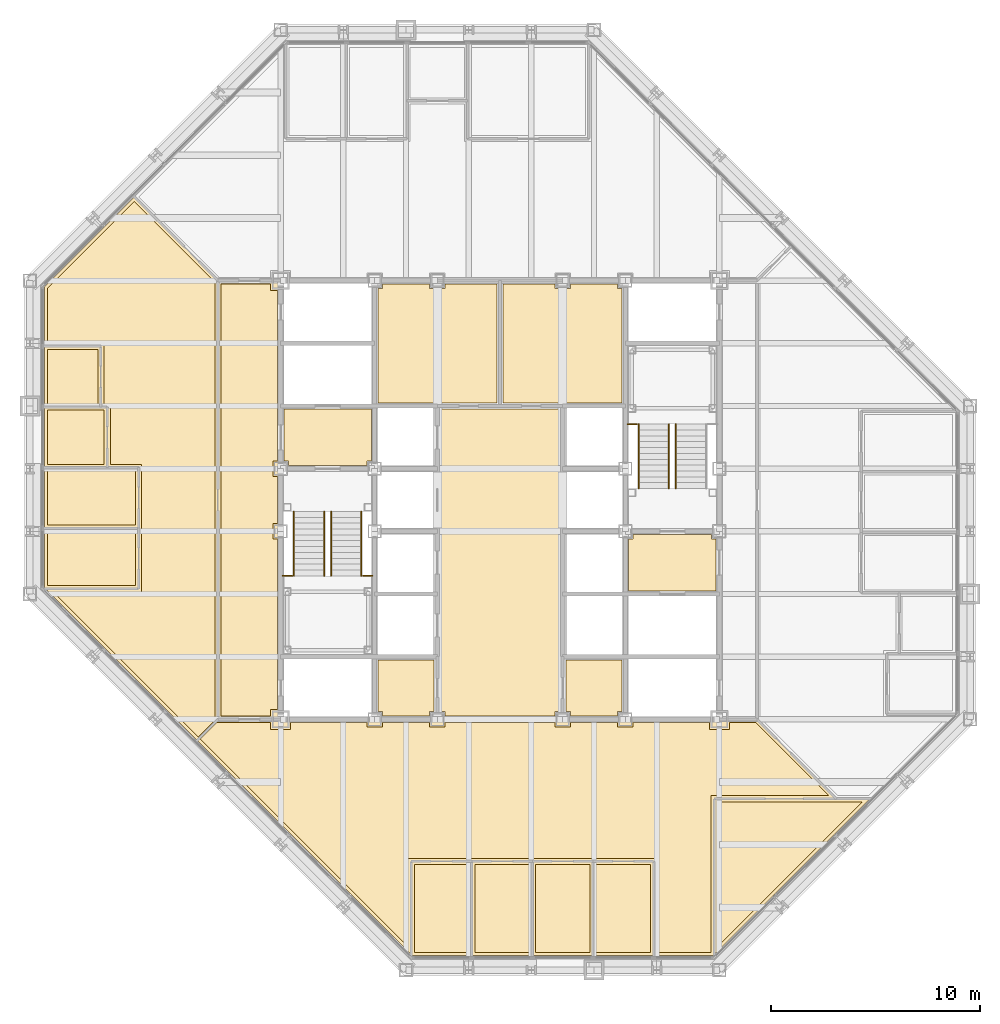
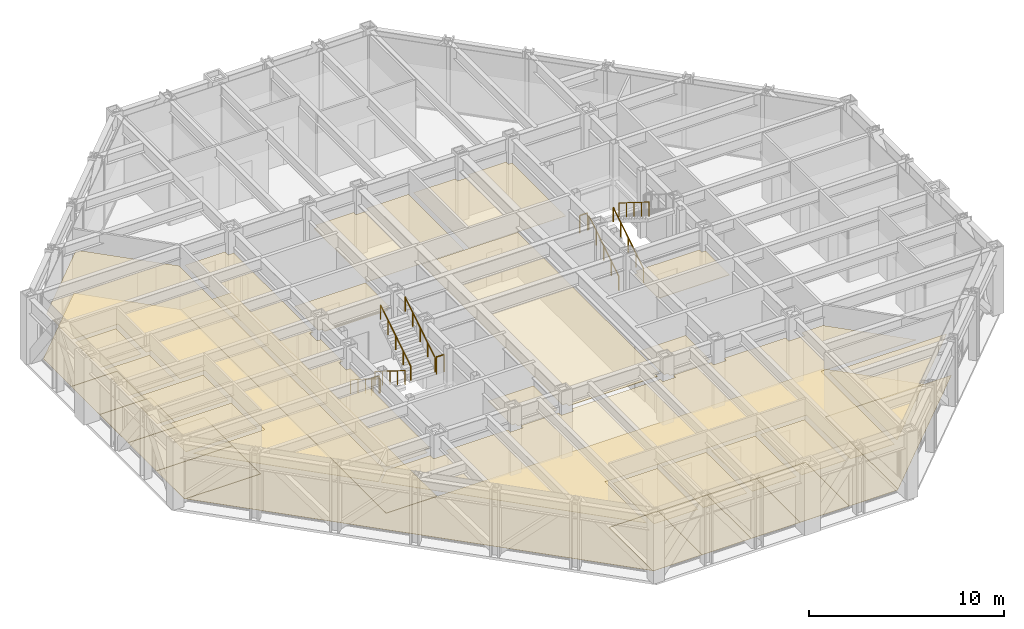
# One storey, part 14 of 15: 30 coverings, 10 railings.
"""IFC4 building model written with IfcOpenShell, lengths in metres."""

from ifc_helpers import new_model, si_unit, direction, frame, origin, origin_2d, place, context, subcontext, project, spatial, polyline, circle, outline, extrude, material, layer, layer_set, type_object, element, save


model = new_model("IFC4")

# Units and contexts
model_context = context("Model", 3, precision=1e-05, world=origin(), true_north=direction((0.0, 1.0)))
body_context = subcontext(model_context, "Body", "Model", "MODEL_VIEW")
ifc_project = project(units=[si_unit("LENGTHUNIT", "METRE"), si_unit("AREAUNIT", "SQUARE_METRE"), si_unit("VOLUMEUNIT", "CUBIC_METRE"), si_unit("PLANEANGLEUNIT", "RADIAN"), si_unit("MASSUNIT", "GRAM", prefix="KILO")], contexts=[model_context])

# Site, building, storey
site_placement = place(None, origin())
site = spatial("IfcSite", under=ifc_project, at=site_placement, CompositionType="ELEMENT")
building_placement = place(site_placement, origin())
building = spatial("IfcBuilding", under=site, at=building_placement, Name="Chuquiago Exchange Tower", CompositionType="ELEMENT")
storey_placement = place(building_placement, frame((0.0, 0.0, 184.5)))
storey = spatial("IfcBuildingStorey", under=building, at=storey_placement, Name="L40", CompositionType="ELEMENT", Elevation=184.5)

# Coverings
ifc_material_1 = material(Name="Mineral fibre tile, 600 x 600, on pale metal grid", Category="mineral fibre")
ifc_layer_1 = layer(ifc_material_1, 0.02001953125)
ifc_layer_set_1 = layer_set([ifc_layer_1], Name="CL1 suspended tile ceiling 20")
covering_type_1 = type_object("IfcCoveringType", Name="CL1 suspended tile ceiling 20", PredefinedType="CEILING", material=ifc_layer_set_1)
covering_1_placement = place(storey_placement, frame((0.0, 0.0, 2.800048828125)))
element("IfcCovering", 1, at=covering_1_placement, inside=storey, type_object=covering_type_1, Name="Ceiling Office", PredefinedType="CEILING", context=body_context, shape_type="SweptSolid", body=[
    extrude(outline(polyline([(18.3984375, 5.050048828125), (20.9990234375, 5.050048828125), (20.9990234375, 0.85009765625), (18.3984375, 0.85009765625), (18.3984375, 5.050048828125)])), origin(), (0.0, 0.0, 1.0), 0.02001953125),
])
covering_2_placement = place(storey_placement, frame((0.0, 0.0, 2.800048828125)))
element("IfcCovering", 2, at=covering_2_placement, inside=storey, type_object=covering_type_1, Name="Ceiling Office", PredefinedType="CEILING", context=body_context, shape_type="SweptSolid", body=[
    extrude(outline(polyline([(21.299072265625, 5.050048828125), (23.899658203125, 5.050048828125), (23.899658203125, 0.85009765625), (21.299072265625, 0.85009765625), (21.299072265625, 5.050048828125)])), origin(), (0.0, 0.0, 1.0), 0.02001953125),
])
covering_3_placement = place(storey_placement, frame((0.0, 0.0, 2.800048828125)))
element("IfcCovering", 3, at=covering_3_placement, inside=storey, type_object=covering_type_1, Name="Ceiling Office", PredefinedType="CEILING", context=body_context, shape_type="SweptSolid", body=[
    extrude(outline(polyline([(24.19970703125, 5.050048828125), (26.80029296875, 5.050048828125), (26.80029296875, 0.85009765625), (24.19970703125, 0.85009765625), (24.19970703125, 5.050048828125)])), origin(), (0.0, 0.0, 1.0), 0.02001953125),
])
covering_4_placement = place(storey_placement, frame((0.0, 0.0, 2.800048828125)))
element("IfcCovering", 4, at=covering_4_placement, inside=storey, type_object=covering_type_1, Name="Ceiling Office", PredefinedType="CEILING", context=body_context, shape_type="SweptSolid", body=[
    extrude(outline(polyline([(27.100341796875, 5.050048828125), (29.700927734375, 5.050048828125), (29.700927734375, 0.85009765625), (27.100341796875, 0.85009765625), (27.100341796875, 5.050048828125)])), origin(), (0.0, 0.0, 1.0), 0.02001953125),
])
covering_5_placement = place(storey_placement, frame((0.0, 0.0, 2.800048828125)))
element("IfcCovering", 5, at=covering_5_placement, inside=storey, type_object=covering_type_1, Name="Ceiling Boardroom", PredefinedType="CEILING", context=body_context, shape_type="SweptSolid", body=[
    extrude(outline(polyline([(32.901611328125, 8.050048828125), (39.847900390625, 8.050048828125), (32.901611328125, 1.103515625), (32.901611328125, 8.050048828125)])), origin(), (0.0, 0.0, 1.0), 0.02001953125),
])
covering_6_placement = place(storey_placement, frame((0.0, 0.0, 2.800048828125)))
element("IfcCovering", 6, at=covering_6_placement, inside=storey, type_object=covering_type_1, Name="Ceiling Office", PredefinedType="CEILING", context=body_context, shape_type="SweptSolid", body=[
    extrude(outline(polyline([(0.85009765625, 20.9990234375), (5.050048828125, 20.9990234375), (5.050048828125, 18.3984375), (0.85009765625, 18.3984375), (0.85009765625, 20.9990234375)])), origin(), (0.0, 0.0, 1.0), 0.02001953125),
])
covering_7_placement = place(storey_placement, frame((0.0, 0.0, 2.800048828125)))
element("IfcCovering", 7, at=covering_7_placement, inside=storey, type_object=covering_type_1, Name="Ceiling Office", PredefinedType="CEILING", context=body_context, shape_type="SweptSolid", body=[
    extrude(outline(polyline([(5.050048828125, 23.899658203125), (5.050048828125, 21.299072265625), (0.85009765625, 21.299072265625), (0.85009765625, 23.899658203125), (5.050048828125, 23.899658203125)])), origin(), (0.0, 0.0, 1.0), 0.02001953125),
])
covering_8_placement = place(storey_placement, frame((0.0, 0.0, 2.800048828125)))
element("IfcCovering", 8, at=covering_8_placement, inside=storey, type_object=covering_type_1, Name="Ceiling Store", PredefinedType="CEILING", context=body_context, shape_type="SweptSolid", body=[
    extrude(outline(polyline([(3.550048828125, 26.80029296875), (3.550048828125, 24.19970703125), (0.85009765625, 24.19970703125), (0.85009765625, 26.80029296875), (3.550048828125, 26.80029296875)])), origin(), (0.0, 0.0, 1.0), 0.02001953125),
])
covering_9_placement = place(storey_placement, frame((0.0, 0.0, 2.800048828125)))
element("IfcCovering", 9, at=covering_9_placement, inside=storey, type_object=covering_type_1, Name="Ceiling Focus room", PredefinedType="CEILING", context=body_context, shape_type="SweptSolid", body=[
    extrude(outline(polyline([(3.25, 29.700927734375), (3.25, 27.100341796875), (0.85009765625, 27.100341796875), (0.85009765625, 29.700927734375), (3.25, 29.700927734375)])), origin(), (0.0, 0.0, 1.0), 0.02001953125),
])
covering_10_placement = place(storey_placement, frame((0.0, 0.0, 2.800048828125)))
element("IfcCovering", 10, at=covering_10_placement, inside=storey, type_object=covering_type_1, Name="Ceiling Circulation corridor", PredefinedType="CEILING", context=body_context, shape_type="SweptSolid", body=[
    extrude(outline(polyline([(9.14990234375, 12.14990234375), (9.14990234375, 32.85009765625), (11.52490234375, 32.85009765625), (11.52490234375, 32.52490234375), (11.85009765625, 32.52490234375), (11.85009765625, 24.375), (11.625, 24.375), (11.625, 23.625), (11.85009765625, 23.625), (11.85009765625, 21.375), (11.625, 21.375), (11.625, 20.625), (11.85009765625, 20.625), (11.85009765625, 12.47509765625), (11.52490234375, 12.47509765625), (11.52490234375, 12.14990234375), (9.14990234375, 12.14990234375)])), origin(), (0.0, 0.0, 1.0), 0.02001953125),
])
covering_11_placement = place(storey_placement, frame((0.0, 0.0, 2.800048828125)))
element("IfcCovering", 11, at=covering_11_placement, inside=storey, type_object=covering_type_1, Name="Ceiling Open office south", PredefinedType="CEILING", context=body_context, shape_type="SweptSolid", body=[
    extrude(outline(polyline([(30.0009765625, 0.85009765625), (30.0009765625, 5.35009765625), (18.098388671875, 5.35009765625), (18.098388671875, 1.103515625), (8.150390625, 11.051513671875), (8.948974609375, 11.85009765625), (11.52490234375, 11.85009765625), (11.52490234375, 11.52490234375), (12.47509765625, 11.52490234375), (12.47509765625, 11.85009765625), (16.125, 11.85009765625), (16.125, 11.625), (16.875, 11.625), (16.875, 11.85009765625), (19.125, 11.85009765625), (19.125, 11.625), (19.875, 11.625), (19.875, 11.85009765625), (25.125, 11.85009765625), (25.125, 11.625), (25.875, 11.625), (25.875, 11.85009765625), (28.125, 11.85009765625), (28.125, 11.625), (28.875, 11.625), (28.875, 11.85009765625), (32.52490234375, 11.85009765625), (32.52490234375, 11.52490234375), (33.47509765625, 11.52490234375), (33.47509765625, 11.85009765625), (34.7373046875, 11.85009765625), (38.2373046875, 8.35009765625), (32.6015625, 8.35009765625), (32.6015625, 0.85009765625), (30.0009765625, 0.85009765625)])), origin(), (0.0, 0.0, 1.0), 0.02001953125),
])
covering_12_placement = place(storey_placement, frame((0.0, 0.0, 2.800048828125)))
element("IfcCovering", 12, at=covering_12_placement, inside=storey, type_object=covering_type_1, Name="Ceiling Open office south", PredefinedType="CEILING", context=body_context, shape_type="SweptSolid", body=[
    extrude(outline(polyline([(1.103515625, 18.098388671875), (5.35009765625, 18.098388671875), (5.35009765625, 24.19970703125), (3.85009765625, 24.19970703125), (3.85009765625, 27.100341796875), (3.550048828125, 27.100341796875), (3.550048828125, 30.0009765625), (0.85009765625, 30.0009765625), (0.85009765625, 32.64794921875), (4.99462890625, 36.79248046875), (8.85009765625, 32.9375), (8.85009765625, 11.948974609375), (8.051513671875, 11.150390625), (1.103515625, 18.098388671875)])), origin(), (0.0, 0.0, 1.0), 0.02001953125),
])
ifc_material_2 = material(Name="Moisture resistant plasterboard on metal frame", Category="gypsum")
ifc_layer_2 = layer(ifc_material_2, 0.014892578125)
ifc_layer_set_2 = layer_set([ifc_layer_2], Name="CL2 moisture resistant ceiling 15")
covering_type_2 = type_object("IfcCoveringType", Name="CL2 moisture resistant ceiling 15", PredefinedType="CEILING", material=ifc_layer_set_2)
covering_13_placement = place(storey_placement, frame((0.0, 0.0, 2.60009765625)))
element("IfcCovering", 13, at=covering_13_placement, inside=storey, type_object=covering_type_2, Name="Ceiling Male WC", PredefinedType="CEILING", context=body_context, shape_type="SweptSolid", body=[
    extrude(outline(polyline([(16.64990234375, 27.14990234375), (16.64990234375, 32.625), (16.875, 32.625), (16.875, 32.85009765625), (19.125, 32.85009765625), (19.125, 32.625), (19.875, 32.625), (19.875, 32.85009765625), (22.35009765625, 32.85009765625), (22.35009765625, 27.14990234375), (16.64990234375, 27.14990234375)])), origin(), (0.0, 0.0, 1.0), 0.014892578125),
])
covering_14_placement = place(storey_placement, frame((0.0, 0.0, 2.60009765625)))
element("IfcCovering", 14, at=covering_14_placement, inside=storey, type_object=covering_type_2, Name="Ceiling Female WC", PredefinedType="CEILING", context=body_context, shape_type="SweptSolid", body=[
    extrude(outline(polyline([(22.64990234375, 27.14990234375), (22.64990234375, 32.85009765625), (25.125, 32.85009765625), (25.125, 32.625), (25.875, 32.625), (25.875, 32.85009765625), (28.125, 32.85009765625), (28.125, 32.625), (28.35009765625, 32.625), (28.35009765625, 27.14990234375), (22.64990234375, 27.14990234375)])), origin(), (0.0, 0.0, 1.0), 0.014892578125),
])
covering_15_placement = place(storey_placement, frame((0.0, 0.0, 2.60009765625)))
element("IfcCovering", 15, at=covering_15_placement, inside=storey, type_object=covering_type_2, Name="Ceiling Accessible WC", PredefinedType="CEILING", context=body_context, shape_type="SweptSolid", body=[
    extrude(outline(polyline([(25.875, 12.14990234375), (25.875, 12.375), (25.64990234375, 12.375), (25.64990234375, 14.85009765625), (28.35009765625, 14.85009765625), (28.35009765625, 12.375), (28.125, 12.375), (28.125, 12.14990234375), (25.875, 12.14990234375)])), origin(), (0.0, 0.0, 1.0), 0.014892578125),
])
covering_16_placement = place(storey_placement, frame((0.0, 0.0, 2.60009765625)))
element("IfcCovering", 16, at=covering_16_placement, inside=storey, type_object=covering_type_2, Name="Ceiling Cleaner", PredefinedType="CEILING", context=body_context, shape_type="SweptSolid", body=[
    extrude(outline(polyline([(16.875, 12.14990234375), (16.875, 12.375), (16.64990234375, 12.375), (16.64990234375, 14.85009765625), (19.35009765625, 14.85009765625), (19.35009765625, 12.375), (19.125, 12.375), (19.125, 12.14990234375), (16.875, 12.14990234375)])), origin(), (0.0, 0.0, 1.0), 0.014892578125),
])
ifc_material_3 = material(Name="Pale metal plank ceiling, perforated", Category="aluminium")
ifc_layer_3 = layer(ifc_material_3, 0.030029296875)
ifc_layer_set_3 = layer_set([ifc_layer_3], Name="CL3 metal plank ceiling 30")
covering_type_3 = type_object("IfcCoveringType", Name="CL3 metal plank ceiling 30", PredefinedType="CEILING", material=ifc_layer_set_3)
covering_17_placement = place(storey_placement, frame((0.0, 0.0, 2.800048828125)))
element("IfcCovering", 17, at=covering_17_placement, inside=storey, type_object=covering_type_3, Name="Ceiling Lift lobby", PredefinedType="CEILING", context=body_context, shape_type="SweptSolid", body=[
    extrude(outline(polyline([(19.875, 12.14990234375), (19.875, 12.375), (19.64990234375, 12.375), (19.64990234375, 26.85009765625), (25.35009765625, 26.85009765625), (25.35009765625, 12.375), (25.125, 12.375), (25.125, 12.14990234375), (19.875, 12.14990234375)])), origin(), (0.0, 0.0, 1.0), 0.030029296875),
])
covering_18_placement = place(storey_placement, frame((0.0, 0.0, 2.800048828125)))
element("IfcCovering", 18, at=covering_18_placement, inside=storey, type_object=covering_type_3, Name="Ceiling Firefighting lobby", PredefinedType="CEILING", context=body_context, shape_type="SweptSolid", body=[
    extrude(outline(polyline([(12.375, 24.14990234375), (12.375, 24.375), (12.14990234375, 24.375), (12.14990234375, 26.85009765625), (16.35009765625, 26.85009765625), (16.35009765625, 24.375), (16.125, 24.375), (16.125, 24.14990234375), (12.375, 24.14990234375)])), origin(), (0.0, 0.0, 1.0), 0.030029296875),
])
covering_19_placement = place(storey_placement, frame((0.0, 0.0, 2.800048828125)))
element("IfcCovering", 19, at=covering_19_placement, inside=storey, type_object=covering_type_3, Name="Ceiling Firefighting lobby", PredefinedType="CEILING", context=body_context, shape_type="SweptSolid", body=[
    extrude(outline(polyline([(28.64990234375, 18.14990234375), (28.64990234375, 20.625), (28.875, 20.625), (28.875, 20.85009765625), (32.625, 20.85009765625), (32.625, 20.625), (32.85009765625, 20.625), (32.85009765625, 18.14990234375), (28.64990234375, 18.14990234375)])), origin(), (0.0, 0.0, 1.0), 0.030029296875),
])
ifc_material_4 = material(Name="Carpet tile, 500 x 500, on the floor slab", Category="textile")
ifc_layer_4 = layer(ifc_material_4, 0.010009765625)
ifc_layer_set_4 = layer_set([ifc_layer_4], Name="FL1 carpet tile 10")
covering_type_4 = type_object("IfcCoveringType", Name="FL1 carpet tile 10", PredefinedType="FLOORING", material=ifc_layer_set_4)
covering_20_placement = place(storey_placement, origin())
element("IfcCovering", 20, at=covering_20_placement, inside=storey, type_object=covering_type_4, Name="Floor finish Office", PredefinedType="FLOORING", context=body_context, shape_type="SweptSolid", body=[
    extrude(outline(polyline([(18.289794921875, 0.699951171875), (18.24853515625, 0.741455078125), (18.24853515625, 5.199951171875), (21.149169921875, 5.199951171875), (21.149169921875, 0.699951171875), (18.289794921875, 0.699951171875)])), origin(), (0.0, 0.0, 1.0), 0.010009765625),
])
covering_21_placement = place(storey_placement, origin())
element("IfcCovering", 21, at=covering_21_placement, inside=storey, type_object=covering_type_4, Name="Floor finish Office", PredefinedType="FLOORING", context=body_context, shape_type="SweptSolid", body=[
    extrude(outline(polyline([(21.149169921875, 0.699951171875), (21.149169921875, 5.199951171875), (24.0498046875, 5.199951171875), (24.0498046875, 0.699951171875), (21.149169921875, 0.699951171875)])), origin(), (0.0, 0.0, 1.0), 0.010009765625),
])
covering_22_placement = place(storey_placement, origin())
element("IfcCovering", 22, at=covering_22_placement, inside=storey, type_object=covering_type_4, Name="Floor finish Office", PredefinedType="FLOORING", context=body_context, shape_type="SweptSolid", body=[
    extrude(outline(polyline([(24.0498046875, 0.699951171875), (24.0498046875, 5.199951171875), (26.9501953125, 5.199951171875), (26.9501953125, 0.699951171875), (24.0498046875, 0.699951171875)])), origin(), (0.0, 0.0, 1.0), 0.010009765625),
])
covering_23_placement = place(storey_placement, origin())
element("IfcCovering", 23, at=covering_23_placement, inside=storey, type_object=covering_type_4, Name="Floor finish Office", PredefinedType="FLOORING", context=body_context, shape_type="SweptSolid", body=[
    extrude(outline(polyline([(26.9501953125, 0.699951171875), (26.9501953125, 5.199951171875), (29.850830078125, 5.199951171875), (29.850830078125, 0.699951171875), (26.9501953125, 0.699951171875)])), origin(), (0.0, 0.0, 1.0), 0.010009765625),
])
covering_24_placement = place(storey_placement, origin())
element("IfcCovering", 24, at=covering_24_placement, inside=storey, type_object=covering_type_4, Name="Floor finish Boardroom", PredefinedType="FLOORING", context=body_context, shape_type="SweptSolid", body=[
    extrude(outline(polyline([(32.75146484375, 0.741455078125), (32.75146484375, 8.199951171875), (40.210205078125, 8.199951171875), (32.75146484375, 0.741455078125)])), origin(), (0.0, 0.0, 1.0), 0.010009765625),
])
covering_25_placement = place(storey_placement, origin())
element("IfcCovering", 25, at=covering_25_placement, inside=storey, type_object=covering_type_4, Name="Floor finish Office", PredefinedType="FLOORING", context=body_context, shape_type="SweptSolid", body=[
    extrude(outline(polyline([(0.699951171875, 21.149169921875), (5.199951171875, 21.149169921875), (5.199951171875, 18.24853515625), (0.741455078125, 18.24853515625), (0.699951171875, 18.289794921875), (0.699951171875, 21.149169921875)])), origin(), (0.0, 0.0, 1.0), 0.010009765625),
])
covering_26_placement = place(storey_placement, origin())
element("IfcCovering", 26, at=covering_26_placement, inside=storey, type_object=covering_type_4, Name="Floor finish Office", PredefinedType="FLOORING", context=body_context, shape_type="SweptSolid", body=[
    extrude(outline(polyline([(0.699951171875, 24.0498046875), (5.199951171875, 24.0498046875), (5.199951171875, 21.149169921875), (0.699951171875, 21.149169921875), (0.699951171875, 24.0498046875)])), origin(), (0.0, 0.0, 1.0), 0.010009765625),
])
covering_27_placement = place(storey_placement, origin())
element("IfcCovering", 27, at=covering_27_placement, inside=storey, type_object=covering_type_4, Name="Floor finish Focus room", PredefinedType="FLOORING", context=body_context, shape_type="SweptSolid", body=[
    extrude(outline(polyline([(0.699951171875, 29.850830078125), (3.39990234375, 29.850830078125), (3.39990234375, 26.9501953125), (0.699951171875, 26.9501953125), (0.699951171875, 29.850830078125)])), origin(), (0.0, 0.0, 1.0), 0.010009765625),
])
covering_28_placement = place(storey_placement, origin())
element("IfcCovering", 28, at=covering_28_placement, inside=storey, type_object=covering_type_4, Name="Floor finish Open office south", PredefinedType="FLOORING", context=body_context, shape_type="SweptSolid", body=[
    extrude(outline(polyline([(32.75146484375, 8.199951171875), (32.75146484375, 0.741455078125), (32.710205078125, 0.699951171875), (29.850830078125, 0.699951171875), (29.850830078125, 5.199951171875), (18.24853515625, 5.199951171875), (18.24853515625, 0.741455078125), (0.741455078125, 18.24853515625), (5.199951171875, 18.24853515625), (5.199951171875, 24.0498046875), (3.699951171875, 24.0498046875), (3.699951171875, 26.9501953125), (3.39990234375, 26.9501953125), (3.39990234375, 29.850830078125), (0.699951171875, 29.850830078125), (0.699951171875, 32.710205078125), (4.99462890625, 37.004638671875), (9.0, 32.99951171875), (9.0, 12.0), (34.799560546875, 12.0), (38.599365234375, 8.199951171875), (32.75146484375, 8.199951171875)])), origin(), (0.0, 0.0, 1.0), 0.010009765625),
])
ifc_material_5 = material(Name="Porcelain floor tile, 600 x 600, on adhesive bed", Category="ceramic")
ifc_layer_5 = layer(ifc_material_5, 0.014892578125)
ifc_layer_set_5 = layer_set([ifc_layer_5], Name="FL2 porcelain tile 15")
covering_type_5 = type_object("IfcCoveringType", Name="FL2 porcelain tile 15", PredefinedType="FLOORING", material=ifc_layer_set_5)
covering_29_placement = place(storey_placement, origin())
element("IfcCovering", 29, at=covering_29_placement, inside=storey, type_object=covering_type_5, Name="Floor finish Store", PredefinedType="FLOORING", context=body_context, shape_type="SweptSolid", body=[
    extrude(outline(polyline([(0.699951171875, 26.9501953125), (3.699951171875, 26.9501953125), (3.699951171875, 24.0498046875), (0.699951171875, 24.0498046875), (0.699951171875, 26.9501953125)])), origin(), (0.0, 0.0, 1.0), 0.014892578125),
])
covering_30_placement = place(storey_placement, origin())
element("IfcCovering", 30, at=covering_30_placement, inside=storey, type_object=covering_type_5, Name="Floor finish Circulation corridor", PredefinedType="FLOORING", context=body_context, shape_type="SweptSolid", body=[
    extrude(outline(polyline([(12.0, 12.0), (9.0, 12.0), (9.0, 33.0), (12.0, 33.0), (12.0, 12.0)])), origin(), (0.0, 0.0, 1.0), 0.014892578125),
])

# Railings
ifc_material_6 = material(Name="Pale metal guard with safety glass infill", Category="glass")
railing_type_1 = type_object("IfcRailingType", Name="GR1 guard 1100", PredefinedType="GUARDRAIL", material=ifc_material_6)
for number, where, name in (
    (31, (12.10009765625, 18.8701171875, 2.10009765625), "Guard ST1 L40 landing 2"),
    (32, (15.945068359375, 18.8701171875, 2.10009765625), "Guard ST1 L40 landing 2"),
    (33, (28.60009765625, 26.1298828125, 2.10009765625), "Guard ST2 L40 landing 2"),
):
    element("IfcRailing", number, at=place(storey_placement, frame(where)), inside=storey, type_object=railing_type_1, Name=name, PredefinedType="GUARDRAIL", context=body_context, shape_type="SweptSolid", body=[
        extrude(circle(Radius=0.02392578125, at=origin_2d()), frame((0.0, 0.0, 1.076171875), z_axis=(1.0, 0.0, 0.0), x_axis=(0.0, 1.0, 0.0)), (0.0, 0.0, 1.0), 0.454833984375),
        extrude(circle(Radius=0.02099609375, at=origin_2d()), origin(), (0.0, 0.0, 1.0), 1.052001953125),
        extrude(circle(Radius=0.02099609375, at=origin_2d()), frame((0.454833984375, 0.0, 0.0)), (0.0, 0.0, 1.0), 1.052001953125),
    ])
ifc_material_7 = material(Name="Pale metal handrail", Category="steel")
railing_type_2 = type_object("IfcRailingType", Name="HR1 handrail 900", PredefinedType="HANDRAIL", material=ifc_material_7)
for number, where, name in (
    (34, (12.635009765625, 21.949951171875, 0.175048828125), "Handrail ST1 L40 flight 1"),
    (35, (14.0849609375, 21.949951171875, 0.175048828125), "Handrail ST1 L40 flight 1"),
):
    element("IfcRailing", number, at=place(storey_placement, frame(where)), inside=storey, type_object=railing_type_2, Name=name, PredefinedType="HANDRAIL", context=body_context, shape_type="SweptSolid", body=[
        extrude(circle(Radius=0.02392578125, at=origin_2d()), frame((0.0, 0.0, 0.8759765625), z_axis=(0.0, -0.847979421464, 0.530029150871), x_axis=(1.0, 0.0, 0.0)), (0.0, 0.0, 1.0), 3.632080078125),
        extrude(circle(Radius=0.02099609375, at=origin_2d()), origin(), (0.0, 0.0, 1.0), 0.851806640625),
        extrude(circle(Radius=0.02099609375, at=origin_2d()), frame((0.0, -0.77001953125, 0.481201171875)), (0.0, 0.0, 1.0), 0.851806640625),
        extrude(circle(Radius=0.02099609375, at=origin_2d()), frame((0.0, -1.5400390625, 0.96240234375)), (0.0, 0.0, 1.0), 0.851806640625),
        extrude(circle(Radius=0.02099609375, at=origin_2d()), frame((0.0, -2.309814453125, 1.44384765625)), (0.0, 0.0, 1.0), 0.851806640625),
        extrude(circle(Radius=0.02099609375, at=origin_2d()), frame((0.0, -3.079833984375, 1.925048828125)), (0.0, 0.0, 1.0), 0.851806640625),
    ])
for number, where, name in (
    (36, (15.864990234375, 18.8701171875, 2.27490234375), "Handrail ST1 L40 flight 2"),
    (37, (14.4150390625, 18.8701171875, 2.27490234375), "Handrail ST1 L40 flight 2"),
    (38, (30.5849609375, 23.050048828125, 0.175048828125), "Handrail ST2 L40 flight 1"),
    (39, (29.135009765625, 23.050048828125, 0.175048828125), "Handrail ST2 L40 flight 1"),
):
    element("IfcRailing", number, at=place(storey_placement, frame(where)), inside=storey, type_object=railing_type_2, Name=name, PredefinedType="HANDRAIL", context=body_context, shape_type="SweptSolid", body=[
        extrude(circle(Radius=0.02392578125, at=origin_2d()), frame((0.0, 0.0, 0.8759765625), z_axis=(0.0, 0.847979421464, 0.530029150871), x_axis=(-1.0, 0.0, 0.0)), (0.0, 0.0, 1.0), 3.632080078125),
        extrude(circle(Radius=0.02099609375, at=origin_2d()), origin(), (0.0, 0.0, 1.0), 0.851806640625),
        extrude(circle(Radius=0.02099609375, at=origin_2d()), frame((0.0, 0.77001953125, 0.481201171875)), (0.0, 0.0, 1.0), 0.851806640625),
        extrude(circle(Radius=0.02099609375, at=origin_2d()), frame((0.0, 1.5400390625, 0.96240234375)), (0.0, 0.0, 1.0), 0.851806640625),
        extrude(circle(Radius=0.02099609375, at=origin_2d()), frame((0.0, 2.309814453125, 1.44384765625)), (0.0, 0.0, 1.0), 0.851806640625),
        extrude(circle(Radius=0.02099609375, at=origin_2d()), frame((0.0, 3.079833984375, 1.925048828125)), (0.0, 0.0, 1.0), 0.851806640625),
    ])
railing_placement = place(storey_placement, frame((30.9150390625, 26.1298828125, 2.27490234375)))
element("IfcRailing", 40, at=railing_placement, inside=storey, type_object=railing_type_2, Name="Handrail ST2 L40 flight 2", PredefinedType="HANDRAIL", context=body_context, shape_type="SweptSolid", body=[
    extrude(circle(Radius=0.02392578125, at=origin_2d()), frame((0.0, 0.0, 0.8759765625), z_axis=(0.0, -0.847979421464, 0.530029150871), x_axis=(1.0, 0.0, 0.0)), (0.0, 0.0, 1.0), 3.632080078125),
    extrude(circle(Radius=0.02099609375, at=origin_2d()), origin(), (0.0, 0.0, 1.0), 0.851806640625),
    extrude(circle(Radius=0.02099609375, at=origin_2d()), frame((0.0, -0.77001953125, 0.481201171875)), (0.0, 0.0, 1.0), 0.851806640625),
    extrude(circle(Radius=0.02099609375, at=origin_2d()), frame((0.0, -1.5400390625, 0.96240234375)), (0.0, 0.0, 1.0), 0.851806640625),
    extrude(circle(Radius=0.02099609375, at=origin_2d()), frame((0.0, -2.309814453125, 1.44384765625)), (0.0, 0.0, 1.0), 0.851806640625),
    extrude(circle(Radius=0.02099609375, at=origin_2d()), frame((0.0, -3.079833984375, 1.925048828125)), (0.0, 0.0, 1.0), 0.851806640625),
])

save(model, "model.ifc")
